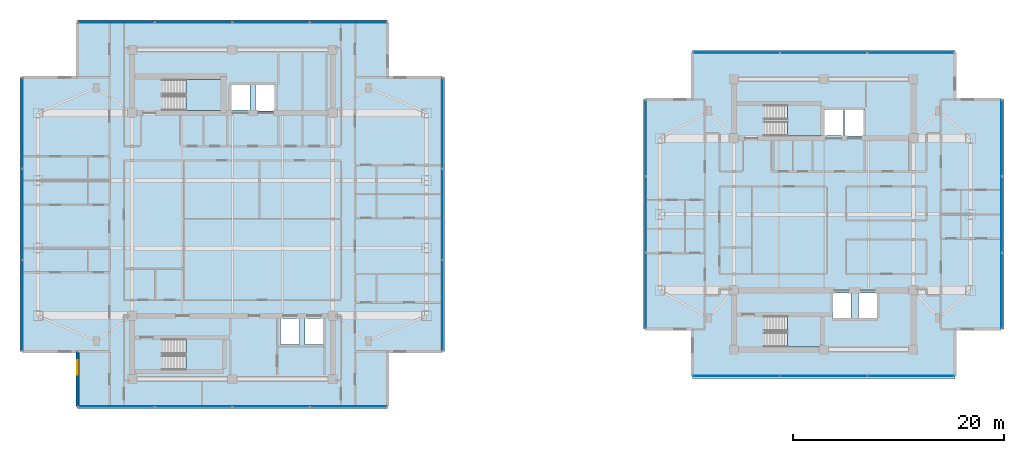
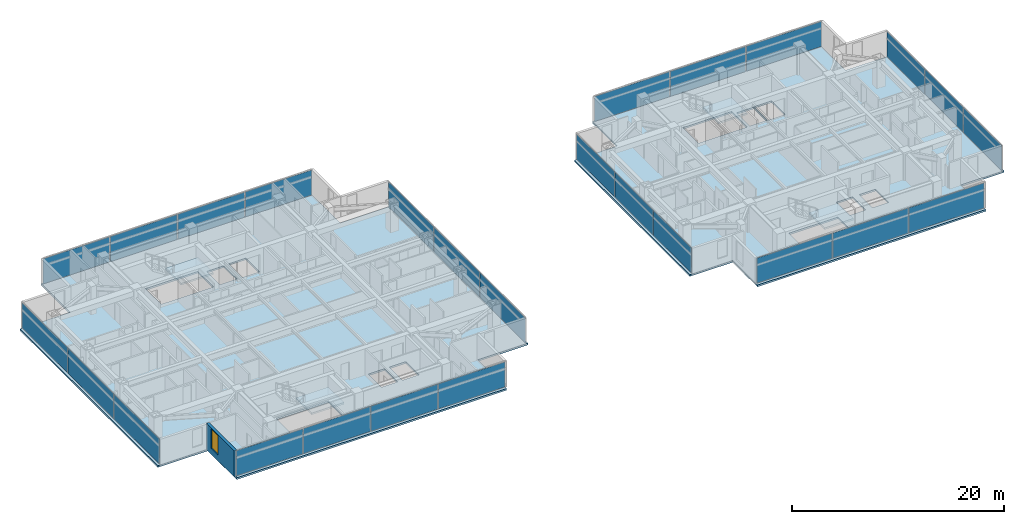
# One storey, part 11 of 24: 26 plates, 6 slabs, 1 wall, 1 window, 1 opening, 12 elements without a shape of their own.
"""IFC4 building model written with IfcOpenShell, lengths in metres."""

from ifc_helpers import new_model, si_unit, direction, frame, frame_2d, origin, origin_2d, place, context, subcontext, project, spatial, polyline, rectangle, outline, extrude, material, layer, layer_set, type_object, element, fill, aggregate, save


model = new_model("IFC4")

# Units and contexts
model_context = context("Model", 3, precision=1e-05, world=origin(), true_north=direction((0.0, 1.0)))
body_context = subcontext(model_context, "Body", "Model", "MODEL_VIEW")
ifc_project = project(units=[si_unit("LENGTHUNIT", "METRE"), si_unit("AREAUNIT", "SQUARE_METRE"), si_unit("VOLUMEUNIT", "CUBIC_METRE"), si_unit("PLANEANGLEUNIT", "RADIAN"), si_unit("MASSUNIT", "GRAM", prefix="KILO")], contexts=[model_context])

# Site, building, storey
site_placement = place(None, origin())
site = spatial("IfcSite", under=ifc_project, at=site_placement, CompositionType="ELEMENT")
building_placement = place(site_placement, origin())
building = spatial("IfcBuilding", under=site, at=building_placement, Name="Mirazonda Arch Towers", CompositionType="ELEMENT")
storey_placement = place(building_placement, frame((0.0, 0.0, 190.14990234375)))
storey = spatial("IfcBuildingStorey", under=building, at=storey_placement, Name="L54", CompositionType="ELEMENT", Elevation=190.14990234375)

# Curtain wall, plates
ifc_material_1 = material(Name="Anodised Aluminium and Low-E Glass", Category="aluminium")
curtain_wall_type = type_object("IfcCurtainWallType", Name="CW-RES-UNIT", PredefinedType="NOTDEFINED", material=ifc_material_1)
curtain_wall_1_placement = place(storey_placement, origin())
curtain_wall_1 = element("IfcCurtainWall", 1, at=curtain_wall_1_placement, inside=storey, type_object=curtain_wall_type, Name="L54 T1 S Facade CW-L54-T1-S", PredefinedType="NOTDEFINED")
ifc_material_2 = material(Name="Insulated Low-E Solar Glass", Category="glass")
ifc_layer_1 = layer(ifc_material_2, 0.0400390625, Name="PAN-CW-RES-UNIT")
ifc_layer_set_1 = layer_set([ifc_layer_1], Name="Insulated Low-E Solar Glass")
plate_type = type_object("IfcPlateType", Name="PAN-CW-RES-UNIT", PredefinedType="CURTAIN_PANEL", material=ifc_layer_set_1)
plate_1_placement = place(storey_placement, frame((31.487548828125, 9.81396484375, 0.0751953125), z_axis=(0.0, 0.0, 1.0), x_axis=(-1.0, 0.0, 0.0)))
plate_1 = element("IfcPlate", 2, at=plate_1_placement, type_object=plate_type, Name="CW-104 panel 1.1", PredefinedType="CURTAIN_PANEL", context=body_context, shape_type="SweptSolid", body=[
    extrude(rectangle(XDim=7.22509765625, YDim=0.0400390625, at=origin_2d()), origin(), (0.0, 0.0, 1.0), 2.8798828125),
])
plate_2_placement = place(storey_placement, frame((24.168701171875, 9.81396484375, 0.0751953125), z_axis=(0.0, 0.0, 1.0), x_axis=(-1.0, 0.0, 0.0)))
plate_2 = element("IfcPlate", 3, at=plate_2_placement, type_object=plate_type, Name="CW-104 panel 2.1", PredefinedType="CURTAIN_PANEL", context=body_context, shape_type="SweptSolid", body=[
    extrude(rectangle(XDim=7.262451171875, YDim=0.0400390625, at=origin_2d()), origin(), (0.0, 0.0, 1.0), 2.8798828125),
])
plate_3_placement = place(storey_placement, frame((16.831298828125, 9.81396484375, 0.0751953125), z_axis=(0.0, 0.0, 1.0), x_axis=(-1.0, 0.0, 0.0)))
plate_3 = element("IfcPlate", 4, at=plate_3_placement, type_object=plate_type, Name="CW-104 panel 3.1", PredefinedType="CURTAIN_PANEL", context=body_context, shape_type="SweptSolid", body=[
    extrude(rectangle(XDim=7.262451171875, YDim=0.0400390625, at=origin_2d()), origin(), (0.0, 0.0, 1.0), 2.8798828125),
])
plate_4_placement = place(storey_placement, frame((9.512451171875, 9.81396484375, 0.0751953125), z_axis=(0.0, 0.0, 1.0), x_axis=(-1.0, 0.0, 0.0)))
plate_4 = element("IfcPlate", 5, at=plate_4_placement, type_object=plate_type, Name="CW-104 panel 4.1", PredefinedType="CURTAIN_PANEL", context=body_context, shape_type="SweptSolid", body=[
    extrude(rectangle(XDim=7.22509765625, YDim=0.0400390625, at=origin_2d()), origin(), (0.0, 0.0, 1.0), 2.8798828125),
])
aggregate(curtain_wall_1, [plate_1, plate_2, plate_3, plate_4])

curtain_wall_2_placement = place(storey_placement, origin())
curtain_wall_2 = element("IfcCurtainWall", 6, at=curtain_wall_2_placement, inside=storey, type_object=curtain_wall_type, Name="L54 T1 E Facade CW-L54-T1-E", PredefinedType="NOTDEFINED")
plate_5_placement = place(storey_placement, frame((40.389892578125, 19.371337890625, 0.0751953125), z_axis=(0.0, 0.0, 1.0), x_axis=(0.0, 1.0, 0.0)))
plate_5 = element("IfcPlate", 7, at=plate_5_placement, type_object=plate_type, Name="CW-104 panel 1.1", PredefinedType="CURTAIN_PANEL", context=body_context, shape_type="SweptSolid", body=[
    extrude(rectangle(XDim=8.534912109375, YDim=0.0400390625, at=origin_2d()), origin(), (0.0, 0.0, 1.0), 2.8798828125),
])
plate_6_placement = place(storey_placement, frame((40.389892578125, 28.0, 0.0751953125), z_axis=(0.0, 0.0, 1.0), x_axis=(0.0, 1.0, 0.0)))
plate_6 = element("IfcPlate", 8, at=plate_6_placement, type_object=plate_type, Name="CW-104 panel 2.1", PredefinedType="CURTAIN_PANEL", context=body_context, shape_type="SweptSolid", body=[
    extrude(rectangle(XDim=8.572265625, YDim=0.0400390625, at=origin_2d()), origin(), (0.0, 0.0, 1.0), 2.8798828125),
])
plate_7_placement = place(storey_placement, frame((40.389892578125, 36.628662109375, 0.0751953125), z_axis=(0.0, 0.0, 1.0), x_axis=(0.0, 1.0, 0.0)))
plate_7 = element("IfcPlate", 9, at=plate_7_placement, type_object=plate_type, Name="CW-104 panel 3.1", PredefinedType="CURTAIN_PANEL", context=body_context, shape_type="SweptSolid", body=[
    extrude(rectangle(XDim=8.534912109375, YDim=0.0400390625, at=origin_2d()), origin(), (0.0, 0.0, 1.0), 2.8798828125),
])
aggregate(curtain_wall_2, [plate_5, plate_6, plate_7])

curtain_wall_3_placement = place(storey_placement, origin())
curtain_wall_3 = element("IfcCurtainWall", 10, at=curtain_wall_3_placement, inside=storey, type_object=curtain_wall_type, Name="L54 T1 N Facade CW-L54-T1-N", PredefinedType="NOTDEFINED")
plate_8_placement = place(storey_placement, frame((9.512451171875, 46.18603515625, 0.0751953125), z_axis=(0.0, 0.0, 1.0), x_axis=(1.0, 0.0, 0.0)))
plate_8 = element("IfcPlate", 11, at=plate_8_placement, type_object=plate_type, Name="CW-104 panel 1.1", PredefinedType="CURTAIN_PANEL", context=body_context, shape_type="SweptSolid", body=[
    extrude(rectangle(XDim=7.22509765625, YDim=0.0400390625, at=origin_2d()), origin(), (0.0, 0.0, 1.0), 2.8798828125),
])
plate_9_placement = place(storey_placement, frame((16.831298828125, 46.18603515625, 0.0751953125), z_axis=(0.0, 0.0, 1.0), x_axis=(1.0, 0.0, 0.0)))
plate_9 = element("IfcPlate", 12, at=plate_9_placement, type_object=plate_type, Name="CW-104 panel 2.1", PredefinedType="CURTAIN_PANEL", context=body_context, shape_type="SweptSolid", body=[
    extrude(rectangle(XDim=7.262451171875, YDim=0.0400390625, at=origin_2d()), origin(), (0.0, 0.0, 1.0), 2.8798828125),
])
plate_10_placement = place(storey_placement, frame((24.168701171875, 46.18603515625, 0.0751953125), z_axis=(0.0, 0.0, 1.0), x_axis=(1.0, 0.0, 0.0)))
plate_10 = element("IfcPlate", 13, at=plate_10_placement, type_object=plate_type, Name="CW-104 panel 3.1", PredefinedType="CURTAIN_PANEL", context=body_context, shape_type="SweptSolid", body=[
    extrude(rectangle(XDim=7.262451171875, YDim=0.0400390625, at=origin_2d()), origin(), (0.0, 0.0, 1.0), 2.8798828125),
])
plate_11_placement = place(storey_placement, frame((31.487548828125, 46.18603515625, 0.0751953125), z_axis=(0.0, 0.0, 1.0), x_axis=(1.0, 0.0, 0.0)))
plate_11 = element("IfcPlate", 14, at=plate_11_placement, type_object=plate_type, Name="CW-104 panel 4.1", PredefinedType="CURTAIN_PANEL", context=body_context, shape_type="SweptSolid", body=[
    extrude(rectangle(XDim=7.22509765625, YDim=0.0400390625, at=origin_2d()), origin(), (0.0, 0.0, 1.0), 2.8798828125),
])
aggregate(curtain_wall_3, [plate_8, plate_9, plate_10, plate_11])

curtain_wall_4_placement = place(storey_placement, origin())
curtain_wall_4 = element("IfcCurtainWall", 15, at=curtain_wall_4_placement, inside=storey, type_object=curtain_wall_type, Name="L54 T1 W Facade CW-L54-T1-W", PredefinedType="NOTDEFINED")
plate_12_placement = place(storey_placement, frame((0.610107421875, 36.628662109375, 0.0751953125), z_axis=(0.0, 0.0, 1.0), x_axis=(0.0, -1.0, 0.0)))
plate_12 = element("IfcPlate", 16, at=plate_12_placement, type_object=plate_type, Name="CW-104 panel 1.1", PredefinedType="CURTAIN_PANEL", context=body_context, shape_type="SweptSolid", body=[
    extrude(rectangle(XDim=8.534912109375, YDim=0.0400390625, at=origin_2d()), origin(), (0.0, 0.0, 1.0), 2.8798828125),
])
plate_13_placement = place(storey_placement, frame((0.610107421875, 28.0, 0.0751953125), z_axis=(0.0, 0.0, 1.0), x_axis=(0.0, -1.0, 0.0)))
plate_13 = element("IfcPlate", 17, at=plate_13_placement, type_object=plate_type, Name="CW-104 panel 2.1", PredefinedType="CURTAIN_PANEL", context=body_context, shape_type="SweptSolid", body=[
    extrude(rectangle(XDim=8.572265625, YDim=0.0400390625, at=origin_2d()), origin(), (0.0, 0.0, 1.0), 2.8798828125),
])
plate_14_placement = place(storey_placement, frame((0.610107421875, 19.371337890625, 0.0751953125), z_axis=(0.0, 0.0, 1.0), x_axis=(0.0, -1.0, 0.0)))
plate_14 = element("IfcPlate", 18, at=plate_14_placement, type_object=plate_type, Name="CW-104 panel 3.1", PredefinedType="CURTAIN_PANEL", context=body_context, shape_type="SweptSolid", body=[
    extrude(rectangle(XDim=8.534912109375, YDim=0.0400390625, at=origin_2d()), origin(), (0.0, 0.0, 1.0), 2.8798828125),
])
aggregate(curtain_wall_4, [plate_12, plate_13, plate_14])

curtain_wall_5_placement = place(storey_placement, origin())
curtain_wall_5 = element("IfcCurtainWall", 19, at=curtain_wall_5_placement, inside=storey, type_object=curtain_wall_type, Name="L54 T2 S Facade CW-L54-T2-S", PredefinedType="NOTDEFINED")
plate_15_placement = place(storey_placement, frame((84.757080078125, 12.69482421875, 0.0751953125), z_axis=(0.0, 0.0, 1.0), x_axis=(-1.0, 0.0, 0.0)))
plate_15 = element("IfcPlate", 20, at=plate_15_placement, type_object=plate_type, Name="CW-104 panel 1.1", PredefinedType="CURTAIN_PANEL", context=body_context, shape_type="SweptSolid", body=[
    extrude(rectangle(XDim=8.163330078125, YDim=0.0400390625, at=origin_2d()), origin(), (0.0, 0.0, 1.0), 2.8798828125),
])
plate_16_placement = place(storey_placement, frame((76.5, 12.69482421875, 0.0751953125), z_axis=(0.0, 0.0, 1.0), x_axis=(-1.0, 0.0, 0.0)))
plate_16 = element("IfcPlate", 21, at=plate_16_placement, type_object=plate_type, Name="CW-104 panel 2.1", PredefinedType="CURTAIN_PANEL", context=body_context, shape_type="SweptSolid", body=[
    extrude(rectangle(XDim=8.200927734375, YDim=0.0400390625, at=origin_2d()), origin(), (0.0, 0.0, 1.0), 2.8798828125),
])
plate_17_placement = place(storey_placement, frame((68.242919921875, 12.69482421875, 0.0751953125), z_axis=(0.0, 0.0, 1.0), x_axis=(-1.0, 0.0, 0.0)))
plate_17 = element("IfcPlate", 22, at=plate_17_placement, type_object=plate_type, Name="CW-104 panel 3.1", PredefinedType="CURTAIN_PANEL", context=body_context, shape_type="SweptSolid", body=[
    extrude(rectangle(XDim=8.163330078125, YDim=0.0400390625, at=origin_2d()), origin(), (0.0, 0.0, 1.0), 2.8798828125),
])
aggregate(curtain_wall_5, [plate_15, plate_16, plate_17])

curtain_wall_6_placement = place(storey_placement, origin())
curtain_wall_6 = element("IfcCurtainWall", 23, at=curtain_wall_6_placement, inside=storey, type_object=curtain_wall_type, Name="L54 T2 E Facade CW-L54-T2-E", PredefinedType="NOTDEFINED")
plate_18_placement = place(storey_placement, frame((93.353515625, 20.775146484375, 0.0751953125), z_axis=(0.0, 0.0, 1.0), x_axis=(0.0, 1.0, 0.0)))
plate_18 = element("IfcPlate", 24, at=plate_18_placement, type_object=plate_type, Name="CW-104 panel 1.1", PredefinedType="CURTAIN_PANEL", context=body_context, shape_type="SweptSolid", body=[
    extrude(rectangle(XDim=7.131103515625, YDim=0.0400390625, at=origin_2d()), origin(), (0.0, 0.0, 1.0), 2.8798828125),
])
plate_19_placement = place(storey_placement, frame((93.353515625, 28.0, 0.0751953125), z_axis=(0.0, 0.0, 1.0), x_axis=(0.0, 1.0, 0.0)))
plate_19 = element("IfcPlate", 25, at=plate_19_placement, type_object=plate_type, Name="CW-104 panel 2.1", PredefinedType="CURTAIN_PANEL", context=body_context, shape_type="SweptSolid", body=[
    extrude(rectangle(XDim=7.168701171875, YDim=0.0400390625, at=origin_2d()), origin(), (0.0, 0.0, 1.0), 2.8798828125),
])
plate_20_placement = place(storey_placement, frame((93.353515625, 35.224853515625, 0.0751953125), z_axis=(0.0, 0.0, 1.0), x_axis=(0.0, 1.0, 0.0)))
plate_20 = element("IfcPlate", 26, at=plate_20_placement, type_object=plate_type, Name="CW-104 panel 3.1", PredefinedType="CURTAIN_PANEL", context=body_context, shape_type="SweptSolid", body=[
    extrude(rectangle(XDim=7.131103515625, YDim=0.0400390625, at=origin_2d()), origin(), (0.0, 0.0, 1.0), 2.8798828125),
])
aggregate(curtain_wall_6, [plate_18, plate_19, plate_20])

curtain_wall_7_placement = place(storey_placement, origin())
curtain_wall_7 = element("IfcCurtainWall", 27, at=curtain_wall_7_placement, inside=storey, type_object=curtain_wall_type, Name="L54 T2 N Facade CW-L54-T2-N", PredefinedType="NOTDEFINED")
plate_21_placement = place(storey_placement, frame((68.242919921875, 43.30517578125, 0.0751953125), z_axis=(0.0, 0.0, 1.0), x_axis=(1.0, 0.0, 0.0)))
plate_21 = element("IfcPlate", 28, at=plate_21_placement, type_object=plate_type, Name="CW-104 panel 1.1", PredefinedType="CURTAIN_PANEL", context=body_context, shape_type="SweptSolid", body=[
    extrude(rectangle(XDim=8.163330078125, YDim=0.0400390625, at=origin_2d()), origin(), (0.0, 0.0, 1.0), 2.8798828125),
])
plate_22_placement = place(storey_placement, frame((76.5, 43.30517578125, 0.0751953125), z_axis=(0.0, 0.0, 1.0), x_axis=(1.0, 0.0, 0.0)))
plate_22 = element("IfcPlate", 29, at=plate_22_placement, type_object=plate_type, Name="CW-104 panel 2.1", PredefinedType="CURTAIN_PANEL", context=body_context, shape_type="SweptSolid", body=[
    extrude(rectangle(XDim=8.200927734375, YDim=0.0400390625, at=origin_2d()), origin(), (0.0, 0.0, 1.0), 2.8798828125),
])
plate_23_placement = place(storey_placement, frame((84.757080078125, 43.30517578125, 0.0751953125), z_axis=(0.0, 0.0, 1.0), x_axis=(1.0, 0.0, 0.0)))
plate_23 = element("IfcPlate", 30, at=plate_23_placement, type_object=plate_type, Name="CW-104 panel 3.1", PredefinedType="CURTAIN_PANEL", context=body_context, shape_type="SweptSolid", body=[
    extrude(rectangle(XDim=8.163330078125, YDim=0.0400390625, at=origin_2d()), origin(), (0.0, 0.0, 1.0), 2.8798828125),
])
aggregate(curtain_wall_7, [plate_21, plate_22, plate_23])

curtain_wall_8_placement = place(storey_placement, origin())
curtain_wall_8 = element("IfcCurtainWall", 31, at=curtain_wall_8_placement, inside=storey, type_object=curtain_wall_type, Name="L54 T2 W Facade CW-L54-T2-W", PredefinedType="NOTDEFINED")
plate_24_placement = place(storey_placement, frame((59.646484375, 35.224853515625, 0.0751953125), z_axis=(0.0, 0.0, 1.0), x_axis=(0.0, -1.0, 0.0)))
plate_24 = element("IfcPlate", 32, at=plate_24_placement, type_object=plate_type, Name="CW-104 panel 1.1", PredefinedType="CURTAIN_PANEL", context=body_context, shape_type="SweptSolid", body=[
    extrude(rectangle(XDim=7.131103515625, YDim=0.0400390625, at=origin_2d()), origin(), (0.0, 0.0, 1.0), 2.8798828125),
])
plate_25_placement = place(storey_placement, frame((59.646484375, 28.0, 0.0751953125), z_axis=(0.0, 0.0, 1.0), x_axis=(0.0, -1.0, 0.0)))
plate_25 = element("IfcPlate", 33, at=plate_25_placement, type_object=plate_type, Name="CW-104 panel 2.1", PredefinedType="CURTAIN_PANEL", context=body_context, shape_type="SweptSolid", body=[
    extrude(rectangle(XDim=7.168701171875, YDim=0.0400390625, at=origin_2d()), origin(), (0.0, 0.0, 1.0), 2.8798828125),
])
plate_26_placement = place(storey_placement, frame((59.646484375, 20.775146484375, 0.0751953125), z_axis=(0.0, 0.0, 1.0), x_axis=(0.0, -1.0, 0.0)))
plate_26 = element("IfcPlate", 34, at=plate_26_placement, type_object=plate_type, Name="CW-104 panel 3.1", PredefinedType="CURTAIN_PANEL", context=body_context, shape_type="SweptSolid", body=[
    extrude(rectangle(XDim=7.131103515625, YDim=0.0400390625, at=origin_2d()), origin(), (0.0, 0.0, 1.0), 2.8798828125),
])
aggregate(curtain_wall_8, [plate_24, plate_25, plate_26])

# Stair, slab
ifc_material_3 = material(Name="Concrete C40/50", Category="concrete")
stair_type = type_object("IfcStairType", Name="STAIR-CORE-1400", PredefinedType="HALF_TURN_STAIR", material=ifc_material_3)
stair_1_placement = place(storey_placement, origin())
stair_1 = element("IfcStair", 35, at=stair_1_placement, inside=storey, type_object=stair_type, Name="L54 Protected Exit Stair ST-T1N", PredefinedType="HALF_TURN_STAIR")
ifc_layer_2 = layer(ifc_material_3, 0.18994140625, Name="SLAB-LANDING-190")
ifc_layer_set_2 = layer_set([ifc_layer_2], Name="Concrete C40/50")
slab_type_1 = type_object("IfcSlabType", Name="SLAB-LANDING-190", PredefinedType="LANDING", material=ifc_layer_set_2)
slab_1_placement = place(storey_placement, frame((0.0, 0.0, 1.425048828125)))
slab_1 = element("IfcSlab", 36, at=slab_1_placement, type_object=slab_type_1, Name="ST-T1N landing 1", PredefinedType="LANDING", context=body_context, shape_type="SweptSolid", body=[
    extrude(outline(polyline([(16.090087890625, 37.820068359375), (19.60009765625, 37.820068359375), (19.60009765625, 40.760009765625), (16.090087890625, 40.760009765625), (16.090087890625, 37.820068359375)])), origin(), (0.0, 0.0, 1.0), 0.199951171875),
])
aggregate(stair_1, [slab_1])

stair_2_placement = place(storey_placement, origin())
stair_2 = element("IfcStair", 37, at=stair_2_placement, inside=storey, type_object=stair_type, Name="L54 Protected Exit Stair ST-T1S", PredefinedType="HALF_TURN_STAIR")
slab_2_placement = place(storey_placement, frame((0.0, 0.0, 1.425048828125)))
slab_2 = element("IfcSlab", 38, at=slab_2_placement, type_object=slab_type_1, Name="ST-T1S landing 1", PredefinedType="LANDING", context=body_context, shape_type="SweptSolid", body=[
    extrude(outline(polyline([(16.090087890625, 13.25), (19.60009765625, 13.25), (19.60009765625, 16.18994140625), (16.090087890625, 16.18994140625), (16.090087890625, 13.25)])), origin(), (0.0, 0.0, 1.0), 0.199951171875),
])
aggregate(stair_2, [slab_2])

stair_3_placement = place(storey_placement, origin())
stair_3 = element("IfcStair", 39, at=stair_3_placement, inside=storey, type_object=stair_type, Name="L54 Protected Exit Stair ST-T2N", PredefinedType="HALF_TURN_STAIR")
slab_3_placement = place(storey_placement, frame((0.0, 0.0, 1.425048828125)))
slab_3 = element("IfcSlab", 40, at=slab_3_placement, type_object=slab_type_1, Name="ST-T2N landing 1", PredefinedType="LANDING", context=body_context, shape_type="SweptSolid", body=[
    extrude(outline(polyline([(73.090087890625, 35.419921875), (76.22998046875, 35.419921875), (76.22998046875, 38.360107421875), (73.090087890625, 38.360107421875), (73.090087890625, 35.419921875)])), origin(), (0.0, 0.0, 1.0), 0.199951171875),
])
aggregate(stair_3, [slab_3])

stair_4_placement = place(storey_placement, origin())
stair_4 = element("IfcStair", 41, at=stair_4_placement, inside=storey, type_object=stair_type, Name="L54 Protected Exit Stair ST-T2S", PredefinedType="HALF_TURN_STAIR")
slab_4_placement = place(storey_placement, frame((0.0, 0.0, 1.425048828125)))
slab_4 = element("IfcSlab", 42, at=slab_4_placement, type_object=slab_type_1, Name="ST-T2S landing 1", PredefinedType="LANDING", context=body_context, shape_type="SweptSolid", body=[
    extrude(outline(polyline([(73.090087890625, 15.419921875), (76.22998046875, 15.419921875), (76.22998046875, 18.360107421875), (73.090087890625, 18.360107421875), (73.090087890625, 15.419921875)])), origin(), (0.0, 0.0, 1.0), 0.199951171875),
])
aggregate(stair_4, [slab_4])

# Slabs
ifc_layer_3 = layer(ifc_material_3, 0.199951171875, Name="SLAB-TWR-200")
ifc_layer_set_3 = layer_set([ifc_layer_3], Name="Concrete C40/50")
slab_type_2 = type_object("IfcSlabType", Name="SLAB-TWR-200", PredefinedType="FLOOR", material=ifc_layer_set_3)
slab_5_placement = place(storey_placement, frame((0.0, 0.0, -0.199951171875)))
element("IfcSlab", 43, at=slab_5_placement, inside=storey, type_object=slab_type_2, Name="L54 Tower 1 Floor Slab", PredefinedType="FLOOR", context=body_context, shape_type="SweptSolid", body=[
    extrude(outline(polyline([(5.824951171875, 9.593994140625), (35.175048828125, 9.593994140625), (35.175048828125, 15.029052734375), (40.610107421875, 15.029052734375), (40.610107421875, 40.970947265625), (35.175048828125, 40.970947265625), (35.175048828125, 46.406005859375), (5.824951171875, 46.406005859375), (5.824951171875, 40.970947265625), (0.389892578125, 40.970947265625), (0.389892578125, 15.029052734375), (5.824951171875, 15.029052734375), (5.824951171875, 9.593994140625)]), holes=[polyline([(27.360107421875, 18.139892578125), (29.139892578125, 18.139892578125), (29.139892578125, 15.659912109375), (27.360107421875, 15.659912109375), (27.360107421875, 18.139892578125)]), polyline([(25.06005859375, 18.139892578125), (26.840087890625, 18.139892578125), (26.840087890625, 15.659912109375), (25.06005859375, 15.659912109375), (25.06005859375, 18.139892578125)]), polyline([(22.7099609375, 40.389892578125), (24.590087890625, 40.389892578125), (24.590087890625, 37.81005859375), (22.7099609375, 37.81005859375), (22.7099609375, 40.389892578125)]), polyline([(20.31005859375, 37.860107421875), (20.31005859375, 40.340087890625), (22.18994140625, 40.340087890625), (22.18994140625, 37.860107421875), (20.31005859375, 37.860107421875)]), polyline([(19.60009765625, 13.25), (13.925048828125, 13.25), (13.925048828125, 16.18994140625), (19.60009765625, 16.18994140625), (19.60009765625, 13.25)]), polyline([(13.925048828125, 37.820068359375), (13.925048828125, 40.760009765625), (19.60009765625, 40.760009765625), (19.60009765625, 37.820068359375), (13.925048828125, 37.820068359375)])]), origin(), (0.0, 0.0, 1.0), 0.199951171875),
])
slab_6_placement = place(storey_placement, frame((0.0, 0.0, -0.199951171875)))
element("IfcSlab", 44, at=slab_6_placement, inside=storey, type_object=slab_type_2, Name="L54 Tower 2 Floor Slab", PredefinedType="FLOOR", context=body_context, shape_type="SweptSolid", body=[
    extrude(outline(polyline([(64.086181640625, 12.474853515625), (88.913818359375, 12.474853515625), (88.913818359375, 17.134521484375), (93.573486328125, 17.134521484375), (93.573486328125, 38.865478515625), (88.913818359375, 38.865478515625), (88.913818359375, 43.525146484375), (64.086181640625, 43.525146484375), (64.086181640625, 38.865478515625), (59.426513671875, 38.865478515625), (59.426513671875, 17.134521484375), (64.086181640625, 17.134521484375), (64.086181640625, 12.474853515625)]), holes=[polyline([(79.81005859375, 20.5400390625), (81.590087890625, 20.5400390625), (81.590087890625, 18.06005859375), (79.81005859375, 18.06005859375), (79.81005859375, 20.5400390625)]), polyline([(78.47998046875, 37.989990234375), (80.360107421875, 37.989990234375), (80.360107421875, 35.409912109375), (78.47998046875, 35.409912109375), (78.47998046875, 37.989990234375)]), polyline([(77.31005859375, 20.5400390625), (79.090087890625, 20.5400390625), (79.090087890625, 18.06005859375), (77.31005859375, 18.06005859375), (77.31005859375, 20.5400390625)]), polyline([(76.510009765625, 35.4599609375), (76.510009765625, 37.93994140625), (78.389892578125, 37.93994140625), (78.389892578125, 35.4599609375), (76.510009765625, 35.4599609375)]), polyline([(76.22998046875, 15.419921875), (70.925048828125, 15.419921875), (70.925048828125, 18.360107421875), (76.22998046875, 18.360107421875), (76.22998046875, 15.419921875)]), polyline([(70.925048828125, 35.419921875), (70.925048828125, 38.360107421875), (76.22998046875, 38.360107421875), (76.22998046875, 35.419921875), (70.925048828125, 35.419921875)])]), origin(), (0.0, 0.0, 1.0), 0.199951171875),
])

# Wall, opening, window
ifc_material_4 = material(Name="Precast Concrete C40/50", Category="concrete")
ifc_layer_4 = layer(ifc_material_4, 0.280029296875, Name="WALL-EXT-WALL-280")
ifc_layer_set_4 = layer_set([ifc_layer_4], Name="Precast Concrete C40/50")
wall_type = type_object("IfcWallType", Name="WALL-EXT-WALL-280", PredefinedType="SOLIDWALL", material=ifc_layer_set_4)
wall_placement = place(storey_placement, frame((5.824951171875, 15.029052734375, 0.0), z_axis=(0.0, 0.0, 1.0), x_axis=(0.0, -1.0, 0.0)))
wall = element("IfcWall", 45, at=wall_placement, inside=storey, type_object=wall_type, Name="L54 T1 Notched SW Corner Wall WL-L54-T1-CSW", PredefinedType="SOLIDWALL", context=body_context, shape_type="SweptSolid", body=[
    extrude(rectangle(XDim=5.215087890625, YDim=0.280029296875, at=frame_2d((2.607421875, 0.0))), origin(), (0.0, 0.0, 1.0), 3.030029296875),
])
opening_placement = place(wall_placement, frame((0.85009765625, 0.0, 0.679931640625)))
opening = element("IfcOpeningElement", 46, at=opening_placement, cuts=wall, Name="Opening WN-104", PredefinedType="OPENING", context=body_context, shape_type="SweptSolid", body=[
    extrude(rectangle(XDim=1.35009765625, YDim=2.199951171875, at=frame_2d((0.675048828125, 1.10009765625))), frame((0.0, 0.14990234375, 0.0), z_axis=(0.0, -1.0, 0.0), x_axis=(1.0, 0.0, 0.0)), (0.0, 0.0, 1.0), 0.300048828125),
])
window_type = type_object("IfcWindowType", Name="WIN-RES-1350x2200", PartitioningType="SINGLE_PANEL", PredefinedType="WINDOW", material=ifc_material_2)
window_placement = place(opening_placement, origin())
window = element("IfcWindow", 47, at=window_placement, inside=storey, type_object=window_type, Name="L54 Punched Facade Window WN-L54-T1-CSW", OverallHeight=2.199951171875, OverallWidth=1.35009765625, PartitioningType="SINGLE_PANEL", PredefinedType="WINDOW", context=body_context, shape_type="SweptSolid", body=[
    extrude(rectangle(XDim=1.35009765625, YDim=2.199951171875, at=frame_2d((0.675048828125, 1.10009765625))), frame((0.0, 0.030029296875, 0.0), z_axis=(0.0, -1.0, 0.0), x_axis=(1.0, 0.0, 0.0)), (0.0, 0.0, 1.0), 0.06005859375),
])
fill(opening, window)

save(model, "model.ifc")
